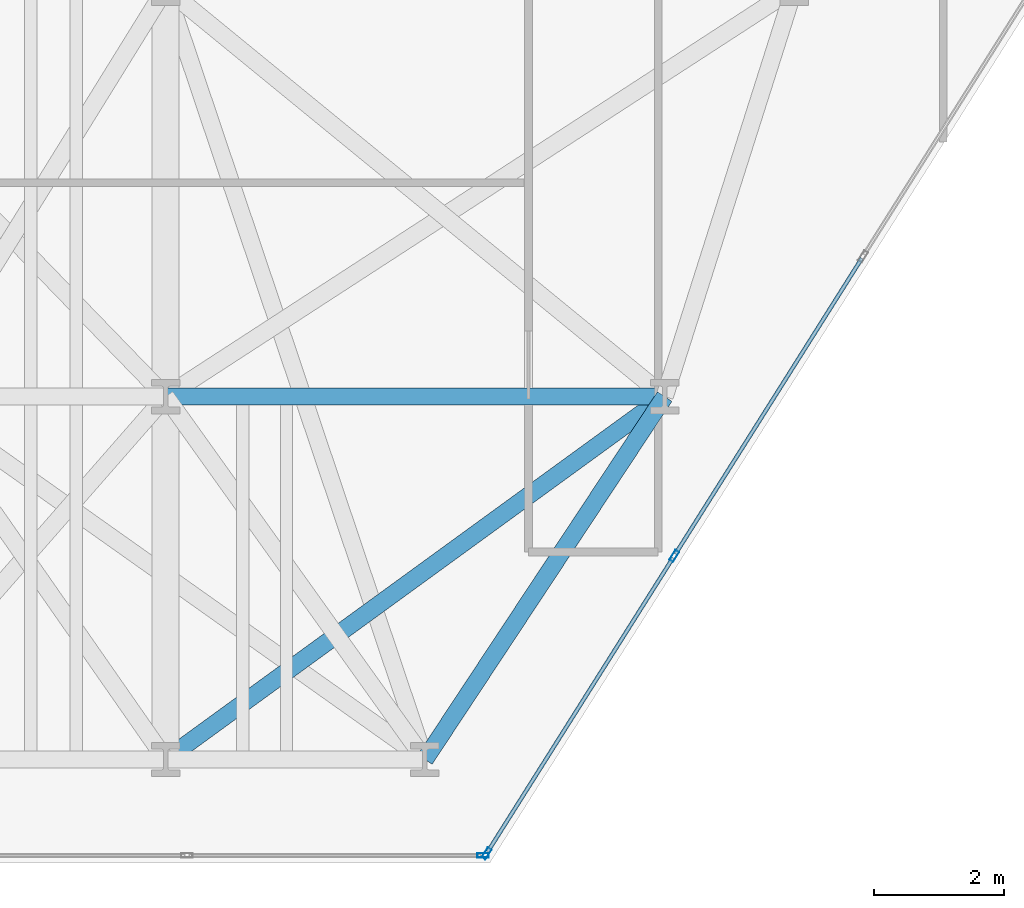
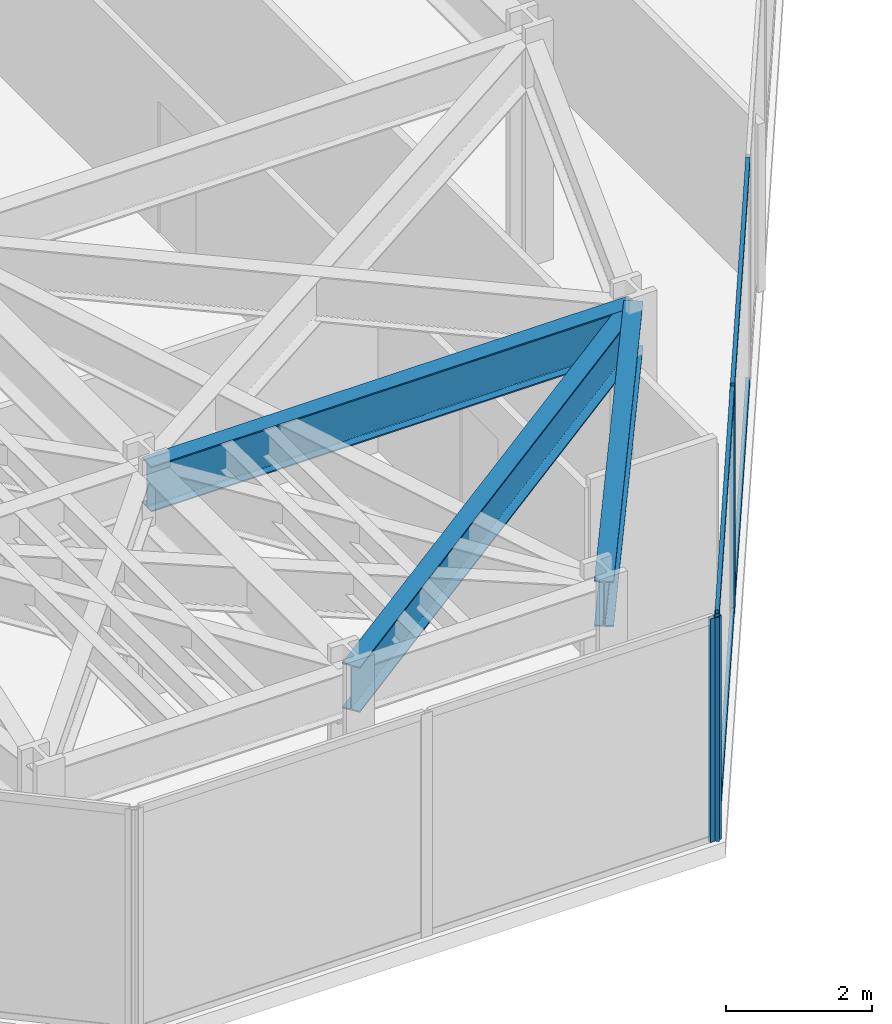
# One storey, part 5 of 24: 7 members, 3 beams, 2 elements without a shape of their own.
"""IFC4 building model written with IfcOpenShell, lengths in metres."""

from ifc_helpers import new_model, si_unit, direction, frame, origin, origin_2d, place, context, subcontext, project, spatial, hollow_rectangle, i_section, extrude, material, layer, layer_set, material_profile, profile_set, type_object, element, aggregate, save


model = new_model("IFC4")

# Units and contexts
model_context = context("Model", 3, precision=1e-05, world=origin(), true_north=direction((0.0, 1.0)))
body_context = subcontext(model_context, "Body", "Model", "MODEL_VIEW")
ifc_project = project(units=[si_unit("LENGTHUNIT", "METRE"), si_unit("AREAUNIT", "SQUARE_METRE"), si_unit("VOLUMEUNIT", "CUBIC_METRE"), si_unit("PLANEANGLEUNIT", "RADIAN"), si_unit("MASSUNIT", "GRAM", prefix="KILO")], contexts=[model_context])

# Site, building, storey
site_placement = place(None, origin())
site = spatial("IfcSite", under=ifc_project, at=site_placement, CompositionType="ELEMENT")
building_placement = place(site_placement, origin())
building = spatial("IfcBuilding", under=site, at=building_placement, Name="Kravanh Interchange Tower", CompositionType="ELEMENT")
storey_placement = place(building_placement, frame((0.0, 0.0, 45.5)))
storey = spatial("IfcBuildingStorey", under=building, at=storey_placement, Name="L10", CompositionType="ELEMENT", Elevation=45.5)

# Curtain wall, members
ifc_material_1 = material(Name="Anodised Bronze Aluminium", Category="aluminium")
ifc_layer = layer(ifc_material_1, 0.179931640625)
ifc_layer_set = layer_set([ifc_layer], Name="Unitised Curtain Wall System CW-Z1 Lower Office")
curtain_wall_type = type_object("IfcCurtainWallType", Name="Unitised Curtain Wall System CW-Z1 Lower Office", PredefinedType="NOTDEFINED", material=ifc_layer_set)
curtain_wall_1_placement = place(storey_placement, origin())
curtain_wall_1 = element("IfcCurtainWall", 1, at=curtain_wall_1_placement, inside=storey, type_object=curtain_wall_type, Name="L10 Unitised Curtain Wall CW-L10-05", PredefinedType="NOTDEFINED")
ifc_material_2 = material(Name="Anodised Bronze Aluminium", Category="aluminium")
ifc_material_profile_1 = material_profile(ifc_material_2, hollow_rectangle(XDim=0.070068359375, YDim=0.179931640625, WallThickness=0.00390625, at=origin_2d()), Name="ALU70X180X4")
ifc_profile_set_1 = profile_set([ifc_material_profile_1], Name="Anodised Bronze Aluminium")
member_type_1 = type_object("IfcMemberType", Name="Curtain Wall Mullion ALU70X180X4 Bronze", PredefinedType="MULLION", material=ifc_profile_set_1)
member_1_placement = place(storey_placement, frame((25.346923828125, 5.740966796875, 0.0), z_axis=(0.0, 0.0, 1.0), x_axis=(0.845925530786, -0.53330103728, 0.0)))
member_1 = element("IfcMember", 2, at=member_1_placement, type_object=member_type_1, Name="CW-Z1 mullion 5", PredefinedType="MULLION", context=body_context, shape_type="SweptSolid", body=[
    extrude(hollow_rectangle(XDim=0.070068359375, YDim=0.179931640625, WallThickness=0.00390625, at=origin_2d()), origin(), (0.0, 0.0, 1.0), 3.739990234375),
])
member_2_placement = place(storey_placement, frame((22.452392578125, 1.149658203125, 0.0), z_axis=(0.0, 0.0, 1.0), x_axis=(0.845925530786, -0.53330103728, 0.0)))
member_2 = element("IfcMember", 3, at=member_2_placement, type_object=member_type_1, Name="CW-Z1 mullion 6", PredefinedType="MULLION", context=body_context, shape_type="SweptSolid", body=[
    extrude(hollow_rectangle(XDim=0.070068359375, YDim=0.179931640625, WallThickness=0.00390625, at=origin_2d()), origin(), (0.0, 0.0, 1.0), 3.739990234375),
])

# Curtain wall, member
curtain_wall_2_placement = place(storey_placement, origin())
curtain_wall_2 = element("IfcCurtainWall", 4, at=curtain_wall_2_placement, inside=storey, type_object=curtain_wall_type, Name="L10 Unitised Curtain Wall CW-L10-06", PredefinedType="NOTDEFINED")
member_3_placement = place(storey_placement, frame((22.398681640625, 1.1201171875, 0.0), z_axis=(0.0, 0.0, 1.0), x_axis=(0.0, -1.0, 0.0)))
member_3 = element("IfcMember", 5, at=member_3_placement, type_object=member_type_1, Name="CW-Z1 mullion 1", PredefinedType="MULLION", context=body_context, shape_type="SweptSolid", body=[
    extrude(hollow_rectangle(XDim=0.070068359375, YDim=0.179931640625, WallThickness=0.00390625, at=origin_2d()), origin(), (0.0, 0.0, 1.0), 3.739990234375),
])
aggregate(curtain_wall_2, [member_3])

# Member
ifc_material_3 = material(Name="Anodised Bronze Aluminium", Category="aluminium")
ifc_material_profile_2 = material_profile(ifc_material_3, hollow_rectangle(XDim=0.06005859375, YDim=0.139892578125, WallThickness=0.00390625, at=origin_2d()), Name="ALU60X140X4")
ifc_profile_set_2 = profile_set([ifc_material_profile_2], Name="Anodised Bronze Aluminium")
member_type_2 = type_object("IfcMemberType", Name="Curtain Wall Transom ALU60X140X4 Bronze", PredefinedType="USERDEFINED", material=ifc_profile_set_2)
member_4_placement = place(storey_placement, frame((28.24169921875, 10.332275390625, 0.030029296875), z_axis=(-0.533311487456, -0.84591894254, 0.0), x_axis=(0.84591894254, -0.533311487456, 0.0)))
member_4 = element("IfcMember", 6, at=member_4_placement, type_object=member_type_2, Name="CW-Z1 transom 4.1", ObjectType="TRANSOM", PredefinedType="USERDEFINED", context=body_context, shape_type="SweptSolid", body=[
    extrude(hollow_rectangle(XDim=0.06005859375, YDim=0.139892578125, WallThickness=0.00390625, at=origin_2d()), origin(), (0.0, 0.0, 1.0), 5.392578125),
])

member_5_placement = place(storey_placement, frame((28.24169921875, 10.332275390625, 3.7099609375), z_axis=(-0.533311487456, -0.84591894254, 0.0), x_axis=(0.84591894254, -0.533311487456, 0.0)))
member_5 = element("IfcMember", 7, at=member_5_placement, type_object=member_type_2, Name="CW-Z1 transom 4.2", ObjectType="TRANSOM", PredefinedType="USERDEFINED", context=body_context, shape_type="SweptSolid", body=[
    extrude(hollow_rectangle(XDim=0.06005859375, YDim=0.139892578125, WallThickness=0.00390625, at=origin_2d()), origin(), (0.0, 0.0, 1.0), 5.392578125),
])

member_6_placement = place(storey_placement, frame((25.328369140625, 5.71142578125, 0.030029296875), z_axis=(-0.533288163518, -0.845933646719, 0.0), x_axis=(0.845933646719, -0.533288163518, 0.0)))
member_6 = element("IfcMember", 8, at=member_6_placement, type_object=member_type_2, Name="CW-Z1 transom 5.1", ObjectType="TRANSOM", PredefinedType="USERDEFINED", context=body_context, shape_type="SweptSolid", body=[
    extrude(hollow_rectangle(XDim=0.06005859375, YDim=0.139892578125, WallThickness=0.00390625, at=origin_2d()), origin(), (0.0, 0.0, 1.0), 5.357666015625),
])

member_7_placement = place(storey_placement, frame((25.328369140625, 5.71142578125, 3.7099609375), z_axis=(-0.533288163518, -0.845933646719, 0.0), x_axis=(0.845933646719, -0.533288163518, 0.0)))
member_7 = element("IfcMember", 9, at=member_7_placement, type_object=member_type_2, Name="CW-Z1 transom 5.2", ObjectType="TRANSOM", PredefinedType="USERDEFINED", context=body_context, shape_type="SweptSolid", body=[
    extrude(hollow_rectangle(XDim=0.06005859375, YDim=0.139892578125, WallThickness=0.00390625, at=origin_2d()), origin(), (0.0, 0.0, 1.0), 5.357666015625),
])

aggregate(curtain_wall_1, [member_1, member_2, member_4, member_5, member_6, member_7])

# Beams
ifc_material_4 = material(Name="Structural Steel S355", Category="steel")
ifc_material_profile_3 = material_profile(ifc_material_4, i_section(OverallWidth=0.26708984375, OverallDepth=0.761962890625, WebThickness=0.014404296875, FlangeThickness=0.021484375, FilletRadius=0.02490234375, at=origin_2d()), Name="W30X116")
ifc_profile_set_3 = profile_set([ifc_material_profile_3], Name="Structural Steel S355")
beam_type = type_object("IfcBeamType", Name="Floor Spandrel W30X116 Structural Steel S355", PredefinedType="SPANDREL", material=ifc_profile_set_3)
beam_1_placement = place(storey_placement, frame((17.5, 2.60009765625, 3.35888671875), z_axis=(0.808741628611, 0.588164074176, 0.0), x_axis=(-0.588164074176, 0.808741628611, 0.0)))
element("IfcBeam", 10, at=beam_1_placement, inside=storey, type_object=beam_type, Name="L10 Perimeter Spandrel 105", PredefinedType="SPANDREL", context=body_context, shape_type="SweptSolid", body=[
    extrude(i_section(OverallWidth=0.26708984375, OverallDepth=0.761962890625, WebThickness=0.014404296875, FlangeThickness=0.021484375, FilletRadius=0.02490234375, at=origin_2d()), origin(), (0.0, 0.0, 1.0), 9.52099609375),
])
beam_2_placement = place(storey_placement, frame((21.5, 2.60009765625, 3.35888671875), z_axis=(0.551262239226, 0.834332034386, 0.0), x_axis=(-0.834332034386, 0.551262239226, 0.0)))
element("IfcBeam", 11, at=beam_2_placement, inside=storey, type_object=beam_type, Name="L10 Perimeter Spandrel 121", PredefinedType="SPANDREL", context=body_context, shape_type="SweptSolid", body=[
    extrude(i_section(OverallWidth=0.26708984375, OverallDepth=0.761962890625, WebThickness=0.014404296875, FlangeThickness=0.021484375, FilletRadius=0.02490234375, at=origin_2d()), origin(), (0.0, 0.0, 1.0), 6.711669921875),
])
beam_3_placement = place(storey_placement, frame((17.5, 8.199951171875, 3.35888671875), z_axis=(1.0, 0.0, 0.0), x_axis=(0.0, 1.0, 0.0)))
element("IfcBeam", 12, at=beam_3_placement, inside=storey, type_object=beam_type, Name="L10 Perimeter Spandrel 137", PredefinedType="SPANDREL", context=body_context, shape_type="SweptSolid", body=[
    extrude(i_section(OverallWidth=0.26708984375, OverallDepth=0.761962890625, WebThickness=0.014404296875, FlangeThickness=0.021484375, FilletRadius=0.02490234375, at=origin_2d()), origin(), (0.0, 0.0, 1.0), 7.699951171875),
])

save(model, "model.ifc")
